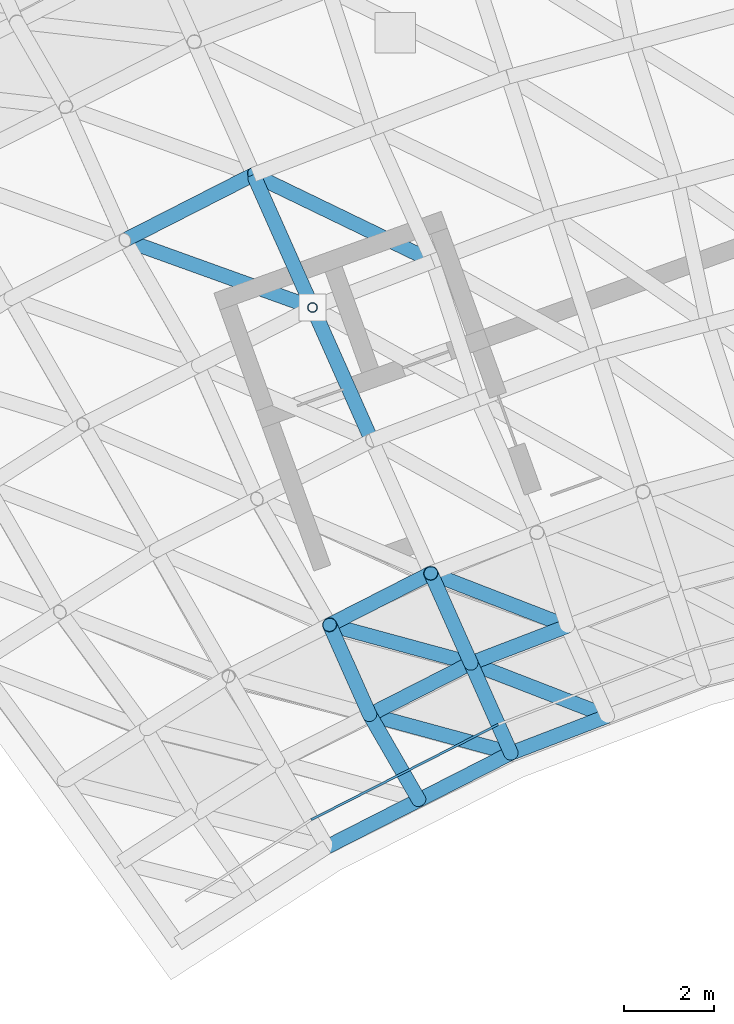
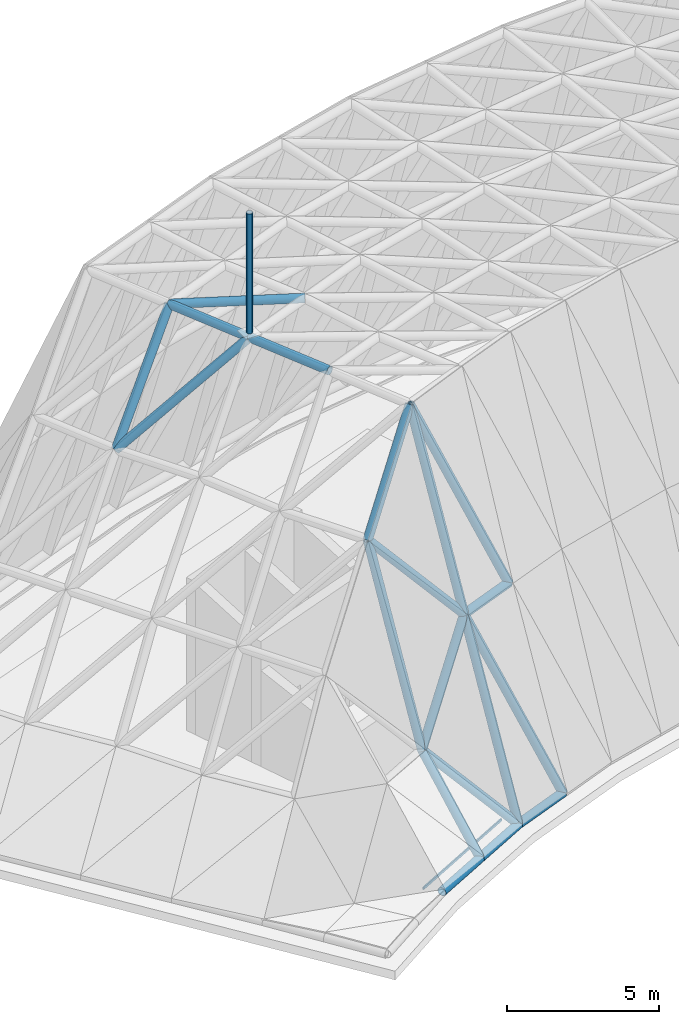
# One storey, part 2 of 20: 21 members.
"""IFC4 building model written with IfcOpenShell, lengths in metres."""

from ifc_helpers import new_model, si_unit, direction, frame, origin, origin_2d, place, context, subcontext, project, spatial, rectangle, hollow_circle, extrude, material, material_profile, profile_set, type_object, element, save


model = new_model("IFC4")

# Units and contexts
model_context = context("Model", 3, precision=1e-05, world=origin(), true_north=direction((0.0, 1.0)))
body_context = subcontext(model_context, "Body", "Model", "MODEL_VIEW")
ifc_project = project(units=[si_unit("LENGTHUNIT", "METRE"), si_unit("AREAUNIT", "SQUARE_METRE"), si_unit("VOLUMEUNIT", "CUBIC_METRE"), si_unit("PLANEANGLEUNIT", "RADIAN"), si_unit("MASSUNIT", "GRAM", prefix="KILO")], contexts=[model_context])

# Site, building, storey
site_placement = place(None, origin())
site = spatial("IfcSite", under=ifc_project, at=site_placement, CompositionType="ELEMENT")
building_placement = place(site_placement, origin())
building = spatial("IfcBuilding", under=site, at=building_placement, Name="Stone Belt Terrace Tower", CompositionType="ELEMENT")
storey_placement = place(building_placement, frame((0.0, 0.0, 337.39990234375)))
storey = spatial("IfcBuildingStorey", under=building, at=storey_placement, Name="RF", CompositionType="ELEMENT", Elevation=337.39990234375)

# Members
ifc_material_1 = material(Name="Structural steel C345", Category="steel")
ifc_material_profile_1 = material_profile(ifc_material_1, hollow_circle(Radius=0.16259765625, WallThickness=0.011962890625, at=origin_2d()), Name="Structural steel C345 CHS 325x12")
ifc_profile_set_1 = profile_set([ifc_material_profile_1], Name="Structural steel C345")
member_type_1 = type_object("IfcMemberType", Name="Crown frame tube CHS 325 x 12", PredefinedType="RAFTER", material=ifc_profile_set_1)
member_1_placement = place(storey_placement, frame((-26.560302734375, 51.752685546875, 11.221435546875), z_axis=(0.563600975612, 0.287198045459, 0.774513539568), x_axis=(-0.454026902189, 0.890987975277, 0.0)))
element("IfcMember", 1, at=member_1_placement, inside=storey, type_object=member_type_1, Name="CROWN FRAME rafter 94", PredefinedType="RAFTER", context=body_context, shape_type="SweptSolid", body=[
    extrude(hollow_circle(Radius=0.16259765625, WallThickness=0.011962890625, at=origin_2d()), origin(), (0.0, 0.0, 1.0), 5.088623046875),
])
member_2_placement = place(storey_placement, frame((-26.560302734375, 51.752685546875, 11.221435546875), z_axis=(0.704582964509, -0.25352833785, 0.662786713831), x_axis=(0.33857578775, 0.940939124465, 0.0)))
element("IfcMember", 2, at=member_2_placement, inside=storey, type_object=member_type_1, Name="CROWN FRAME rafter 95", PredefinedType="RAFTER", context=body_context, shape_type="SweptSolid", body=[
    extrude(hollow_circle(Radius=0.16259765625, WallThickness=0.011962890625, at=origin_2d()), origin(), (0.0, 0.0, 1.0), 5.9462890625),
])
member_3_placement = place(storey_placement, frame((-19.726806640625, 44.306884765625, 15.16259765625), z_axis=(-0.482423041061, -0.245820657866, -0.840737898289), x_axis=(0.454010794093, -0.890996183408, 0.0)))
element("IfcMember", 3, at=member_3_placement, inside=storey, type_object=member_type_1, Name="CROWN FRAME rafter 112", PredefinedType="RAFTER", context=body_context, shape_type="SweptSolid", body=[
    extrude(hollow_circle(Radius=0.16259765625, WallThickness=0.011962890625, at=origin_2d()), origin(), (0.0, 0.0, 1.0), 4.687744140625),
])
member_4_placement = place(storey_placement, frame((-19.726806640625, 44.306884765625, 15.16259765625), z_axis=(0.114481872174, -0.257076618825, -0.959586115467), x_axis=(0.913513782933, 0.406807778184, 0.0)))
element("IfcMember", 4, at=member_4_placement, inside=storey, type_object=member_type_1, Name="CROWN FRAME rafter 113", PredefinedType="RAFTER", context=body_context, shape_type="SweptSolid", body=[
    extrude(hollow_circle(Radius=0.16259765625, WallThickness=0.011962890625, at=origin_2d()), origin(), (0.0, 0.0, 1.0), 7.81591796875),
])
member_5_placement = place(storey_placement, frame((-19.726806640625, 44.306884765625, 15.16259765625), z_axis=(0.372709870962, -0.144476918998, -0.91663175374), x_axis=(0.361433829509, 0.932397762163, 0.0)))
element("IfcMember", 5, at=member_5_placement, inside=storey, type_object=member_type_1, Name="CROWN FRAME rafter 115", PredefinedType="RAFTER", context=body_context, shape_type="SweptSolid", body=[
    extrude(hollow_circle(Radius=0.16259765625, WallThickness=0.011962890625, at=origin_2d()), origin(), (0.0, 0.0, 1.0), 8.18212890625),
])
member_6_placement = place(storey_placement, frame((-21.98828125, 43.154541015625, 11.221435546875), z_axis=(0.114451044871, -0.257077538014, -0.959589546513), x_axis=(0.913555029688, 0.406715143229, 0.0)))
element("IfcMember", 6, at=member_6_placement, inside=storey, type_object=member_type_1, Name="CROWN FRAME rafter 116", PredefinedType="RAFTER", context=body_context, shape_type="SweptSolid", body=[
    extrude(hollow_circle(Radius=0.16259765625, WallThickness=0.011962890625, at=origin_2d()), origin(), (0.0, 0.0, 1.0), 7.81591796875),
])
member_7_placement = place(storey_placement, frame((-21.98828125, 43.154541015625, 11.221435546875), z_axis=(0.653010738628, -0.177294840082, -0.736303955521), x_axis=(0.262018171327, 0.965062939862, 0.0)))
element("IfcMember", 7, at=member_7_placement, inside=storey, type_object=member_type_1, Name="CROWN FRAME rafter 117", PredefinedType="RAFTER", context=body_context, shape_type="SweptSolid", body=[
    extrude(hollow_circle(Radius=0.16259765625, WallThickness=0.011962890625, at=origin_2d()), origin(), (0.0, 0.0, 1.0), 4.83349609375),
])
member_8_placement = place(storey_placement, frame((-21.09375, 41.145263671875, 3.721435546875), z_axis=(0.48246299937, 0.245814481544, 0.840716774486), x_axis=(-0.453971886549, 0.891016007838, 0.0)))
element("IfcMember", 8, at=member_8_placement, inside=storey, type_object=member_type_1, Name="CROWN FRAME rafter 118", PredefinedType="RAFTER", context=body_context, shape_type="SweptSolid", body=[
    extrude(hollow_circle(Radius=0.16259765625, WallThickness=0.011962890625, at=origin_2d()), origin(), (0.0, 0.0, 1.0), 4.687744140625),
])
member_9_placement = place(storey_placement, frame((-21.09375, 41.145263671875, 3.721435546875), z_axis=(0.6530048899, -0.177343763029, -0.736297360773), x_axis=(0.262087693418, 0.965044061667, 0.0)))
element("IfcMember", 9, at=member_9_placement, inside=storey, type_object=member_type_1, Name="CROWN FRAME rafter 119", PredefinedType="RAFTER", context=body_context, shape_type="SweptSolid", body=[
    extrude(hollow_circle(Radius=0.16259765625, WallThickness=0.011962890625, at=origin_2d()), origin(), (0.0, 0.0, 1.0), 4.83349609375),
])
member_10_placement = place(storey_placement, frame((-21.09375, 41.145263671875, 3.721435546875), z_axis=(0.26288417265, -0.455335227345, -0.850624325133), x_axis=(0.866028486751, 0.499994660107, 0.0)))
element("IfcMember", 10, at=member_10_placement, inside=storey, type_object=member_type_1, Name="CROWN FRAME rafter 120", PredefinedType="RAFTER", context=body_context, shape_type="SweptSolid", body=[
    extrude(hollow_circle(Radius=0.16259765625, WallThickness=0.011962890625, at=origin_2d()), origin(), (0.0, 0.0, 1.0), 4.183837890625),
])
member_11_placement = place(storey_placement, frame((-18.83203125, 42.297607421875, 7.66259765625), z_axis=(0.114450125757, -0.257106709908, -0.959581840405), x_axis=(0.913573388708, 0.406673903077, 0.0)))
element("IfcMember", 11, at=member_11_placement, inside=storey, type_object=member_type_1, Name="CROWN FRAME rafter 121", PredefinedType="RAFTER", context=body_context, shape_type="SweptSolid", body=[
    extrude(hollow_circle(Radius=0.16259765625, WallThickness=0.011962890625, at=origin_2d()), origin(), (0.0, 0.0, 1.0), 7.81591796875),
])
member_12_placement = place(storey_placement, frame((-18.83203125, 42.297607421875, 7.66259765625), z_axis=(0.372682570363, -0.144507741254, -0.91663799532), x_axis=(0.361523881509, 0.932362849484, 0.0)))
element("IfcMember", 12, at=member_12_placement, inside=storey, type_object=member_type_1, Name="CROWN FRAME rafter 123", PredefinedType="RAFTER", context=body_context, shape_type="SweptSolid", body=[
    extrude(hollow_circle(Radius=0.16259765625, WallThickness=0.011962890625, at=origin_2d()), origin(), (0.0, 0.0, 1.0), 8.18212890625),
])
ifc_material_profile_2 = material_profile(ifc_material_1, hollow_circle(Radius=0.16259765625, WallThickness=0.011962890625, at=origin_2d()), Name="Structural steel C345 CHS 325x12")
ifc_profile_set_2 = profile_set([ifc_material_profile_2], Name="Structural steel C345")
member_type_2 = type_object("IfcMemberType", Name="Crown ring and ridge tube CHS 325 x 12", PredefinedType="CHORD", material=ifc_profile_set_2)
member_13_placement = place(storey_placement, frame((-22.05029296875, 38.1923828125, 0.16259765625), z_axis=(0.890995093193, 0.454012933632, 0.0), x_axis=(-0.454012933632, 0.890995093193, 0.0)))
element("IfcMember", 13, at=member_13_placement, inside=storey, type_object=member_type_2, Name="CROWN FRAME ring beam 72", PredefinedType="CHORD", context=body_context, shape_type="SweptSolid", body=[
    extrude(hollow_circle(Radius=0.16259765625, WallThickness=0.011962890625, at=origin_2d()), origin(), (0.0, 0.0, 1.0), 2.307861328125),
])
member_14_placement = place(storey_placement, frame((-23.6923828125, 53.214111328125, 15.16259765625), z_axis=(0.406709932569, -0.913557349459, 0.0), x_axis=(0.913557349459, 0.406709932569, 0.0)))
element("IfcMember", 14, at=member_14_placement, inside=storey, type_object=member_type_2, Name="CROWN FRAME cap beam 97", PredefinedType="CHORD", context=body_context, shape_type="SweptSolid", body=[
    extrude(hollow_circle(Radius=0.16259765625, WallThickness=0.011962890625, at=origin_2d()), origin(), (0.0, 0.0, 1.0), 3.25),
])
member_15_placement = place(storey_placement, frame((-23.6923828125, 53.214111328125, 15.16259765625), z_axis=(0.900376877077, -0.43511088153, 0.0), x_axis=(0.43511088153, 0.900376877077, 0.0)))
element("IfcMember", 15, at=member_15_placement, inside=storey, type_object=member_type_2, Name="CROWN FRAME cap beam 99", PredefinedType="CHORD", context=body_context, shape_type="SweptSolid", body=[
    extrude(hollow_circle(Radius=0.16259765625, WallThickness=0.011962890625, at=origin_2d()), origin(), (0.0, 0.0, 1.0), 4.452880859375),
])
member_16_placement = place(storey_placement, frame((-22.37060546875, 50.2451171875, 15.16259765625), z_axis=(0.406744712829, -0.913541864714, 0.0), x_axis=(0.913541864714, 0.406744712829, 0.0)))
element("IfcMember", 16, at=member_16_placement, inside=storey, type_object=member_type_2, Name="CROWN FRAME cap beam 101", PredefinedType="CHORD", context=body_context, shape_type="SweptSolid", body=[
    extrude(hollow_circle(Radius=0.16259765625, WallThickness=0.011962890625, at=origin_2d()), origin(), (0.0, 0.0, 1.0), 3.250244140625),
])
member_17_placement = place(storey_placement, frame((-18.83203125, 42.297607421875, 7.66259765625), z_axis=(0.933579859324, 0.358369427078, 0.0), x_axis=(-0.358369427078, 0.933579859324, 0.0)))
element("IfcMember", 17, at=member_17_placement, inside=storey, type_object=member_type_2, Name="CROWN FRAME cap beam 122", PredefinedType="CHORD", context=body_context, shape_type="SweptSolid", body=[
    extrude(hollow_circle(Radius=0.16259765625, WallThickness=0.011962890625, at=origin_2d()), origin(), (0.0, 0.0, 1.0), 2.30810546875),
])
member_18_placement = place(storey_placement, frame((-17.9375, 40.2880859375, 0.16259765625), z_axis=(-0.890995093193, -0.454012933632, 0.0), x_axis=(0.454012933632, -0.890995093193, 0.0)))
element("IfcMember", 18, at=member_18_placement, inside=storey, type_object=member_type_2, Name="CROWN FRAME ring beam 124", PredefinedType="CHORD", context=body_context, shape_type="SweptSolid", body=[
    extrude(hollow_circle(Radius=0.16259765625, WallThickness=0.011962890625, at=origin_2d()), origin(), (0.0, 0.0, 1.0), 2.307861328125),
])
member_19_placement = place(storey_placement, frame((-17.9375, 40.2880859375, 0.16259765625), z_axis=(0.933579859324, 0.358369427078, 0.0), x_axis=(-0.358369427078, 0.933579859324, 0.0)))
element("IfcMember", 19, at=member_19_placement, inside=storey, type_object=member_type_2, Name="CROWN FRAME ring beam 125", PredefinedType="CHORD", context=body_context, shape_type="SweptSolid", body=[
    extrude(hollow_circle(Radius=0.16259765625, WallThickness=0.011962890625, at=origin_2d()), origin(), (0.0, 0.0, 1.0), 2.30810546875),
])
ifc_material_2 = material(Name="Stainless steel AISI 304", Category="steel")
ifc_material_profile_3 = material_profile(ifc_material_2, rectangle(XDim=0.050048828125, YDim=0.10009765625, at=origin_2d()), Name="Stainless steel AISI 304 100x50")
ifc_profile_set_3 = profile_set([ifc_material_profile_3], Name="Stainless steel AISI 304")
member_type_3 = type_object("IfcMemberType", Name="Snow retention bar 100 x 50", PredefinedType="MEMBER", material=ifc_profile_set_3)
member_20_placement = place(storey_placement, frame((-22.400634765625, 38.799560546875, 0.050048828125), z_axis=(0.891006914695, 0.453989733326, 0.0), x_axis=(-0.453989733326, 0.891006914695, 0.0)))
element("IfcMember", 20, at=member_20_placement, inside=storey, type_object=member_type_3, Name="SNOW GUARD retention bar inner 2", PredefinedType="MEMBER", context=body_context, shape_type="SweptSolid", body=[
    extrude(rectangle(XDim=0.050048828125, YDim=0.10009765625, at=origin_2d()), origin(), (0.0, 0.0, 1.0), 4.689208984375),
])
ifc_material_profile_4 = material_profile(ifc_material_1, hollow_circle(Radius=0.109619140625, WallThickness=0.010009765625, at=origin_2d()), Name="Structural steel C345 CHS 219x10")
ifc_profile_set_4 = profile_set([ifc_material_profile_4], Name="Structural steel C345")
member_type_4 = type_object("IfcMemberType", Name="Spire mast tube CHS 219 x 10", PredefinedType="POST", material=ifc_profile_set_4)
member_21_placement = place(storey_placement, frame((-22.37060546875, 50.2451171875, 15.364990234375), z_axis=(0.0, 0.0, 1.0), x_axis=(1.0, 0.0, 0.0)))
element("IfcMember", 21, at=member_21_placement, inside=storey, type_object=member_type_4, Name="SPIRE", PredefinedType="POST", context=body_context, shape_type="SweptSolid", body=[
    extrude(hollow_circle(Radius=0.109619140625, WallThickness=0.010009765625, at=origin_2d()), origin(), (0.0, 0.0, 1.0), 4.797607421875),
])

save(model, "model.ifc")
